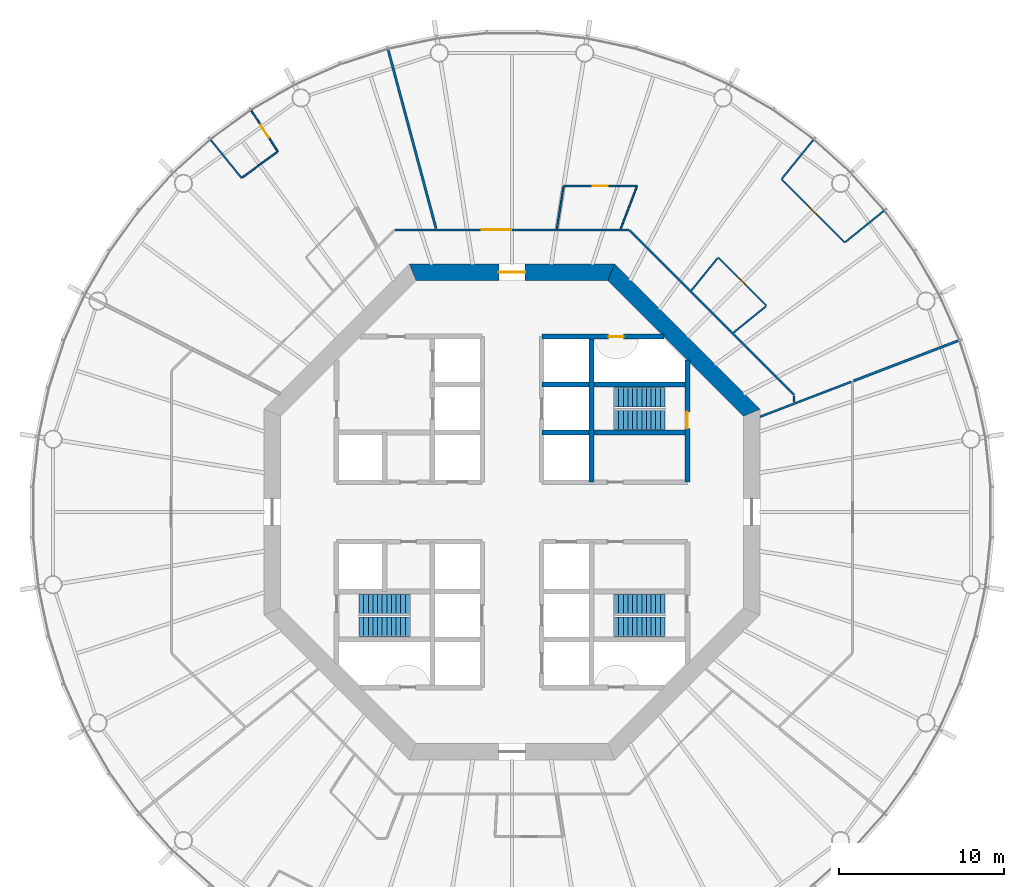
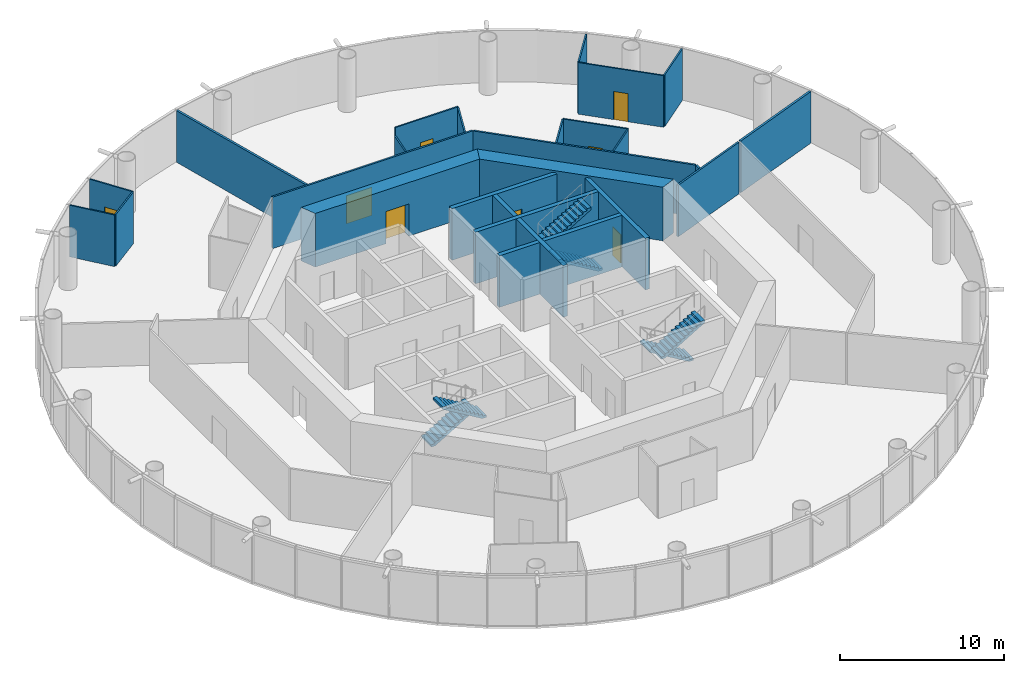
# One storey, part 5 of 12: 25 walls, 8 doors, 6 stair flights, 8 openings, 3 elements without a shape of their own.
"""IFC4 building model written with IfcOpenShell, lengths in metres."""

from ifc_helpers import new_model, si_unit, direction, frame, frame_2d, origin, place, context, subcontext, project, spatial, polyline, rectangle, outline, extrude, material, layer, layer_set, type_object, element, fill, aggregate, save


model = new_model("IFC4")

# Units and contexts
model_context = context("Model", 3, precision=1e-05, world=origin(), true_north=direction((0.0, 1.0)))
body_context = subcontext(model_context, "Body", "Model", "MODEL_VIEW")
ifc_project = project(units=[si_unit("LENGTHUNIT", "METRE"), si_unit("AREAUNIT", "SQUARE_METRE"), si_unit("VOLUMEUNIT", "CUBIC_METRE"), si_unit("PLANEANGLEUNIT", "RADIAN"), si_unit("MASSUNIT", "GRAM", prefix="KILO")], contexts=[model_context])

# Site, building, storey
site_placement = place(None, origin())
site = spatial("IfcSite", under=ifc_project, at=site_placement, CompositionType="ELEMENT")
building_placement = place(site_placement, origin())
building = spatial("IfcBuilding", under=site, at=building_placement, Name="Entoto Ring Tower", CompositionType="ELEMENT")
storey_placement = place(building_placement, frame((0.0, 0.0, 196.0)))
storey = spatial("IfcBuildingStorey", under=building, at=storey_placement, Name="L45", CompositionType="ELEMENT", Elevation=196.0)

# Wall, opening, door
ifc_material_1 = material(Name="Concrete C40/50", Category="concrete")
ifc_layer_1 = layer(ifc_material_1, 0.300048828125)
ifc_layer_set_1 = layer_set([ifc_layer_1], Name="Concrete C40/50")
wall_type_1 = type_object("IfcWallType", Name="Core enclosure wall 300 mm reinforced concrete", PredefinedType="SOLIDWALL", material=ifc_layer_set_1)
wall_1_placement = place(storey_placement, frame((100.60009765625, 81.800048828125, 0.0), z_axis=(0.0, 0.0, 1.0), x_axis=(0.0, 1.0, 0.0)))
wall_1 = element("IfcWall", 1, at=wall_1_placement, inside=storey, type_object=wall_type_1, Name="wall-L45-002", PredefinedType="SOLIDWALL", context=body_context, shape_type="SweptSolid", body=[
    extrude(rectangle(XDim=7.39892578125, YDim=0.300048828125, at=frame_2d((3.699462890625, 0.0))), origin(), (0.0, 0.0, 1.0), 3.85009765625),
])
opening_1_placement = place(wall_1_placement, frame((3.25, 0.0, 0.0)))
opening_1 = element("IfcOpeningElement", 2, at=opening_1_placement, cuts=wall_1, Name="Opening K-52", PredefinedType="OPENING", context=body_context, shape_type="SweptSolid", body=[
    extrude(rectangle(XDim=1.0, YDim=2.10009765625, at=frame_2d((0.5, 1.050048828125))), frame((0.0, 0.16015625, 0.0), z_axis=(0.0, -1.0, 0.0), x_axis=(1.0, 0.0, 0.0)), (0.0, 0.0, 1.0), 0.320068359375),
])
ifc_material_2 = material(Name="Steel door leaf, fire rated", Category="steel")
ifc_layer_2 = layer(ifc_material_2, 0.050048828125)
ifc_layer_set_2 = layer_set([ifc_layer_2], Name="Steel door leaf, fire rated")
door_type_1 = type_object("IfcDoorType", Name="Fire door FD60 1000 x 2100 single leaf", OperationType="NOTDEFINED", PredefinedType="DOOR", material=ifc_layer_set_2)
door_1_placement = place(opening_1_placement, origin())
door_1 = element("IfcDoor", 3, at=door_1_placement, inside=storey, type_object=door_type_1, Name="Door K-52", OperationType="SINGLE_SWING_LEFT", OverallHeight=2.10009765625, OverallWidth=1.0, PredefinedType="DOOR", context=body_context, shape_type="SweptSolid", body=[
    extrude(rectangle(XDim=1.0, YDim=2.10009765625, at=frame_2d((0.5, 1.050048828125))), frame((0.0, 0.02490234375, 0.0), z_axis=(0.0, -1.0, 0.0), x_axis=(1.0, 0.0, 0.0)), (0.0, 0.0, 1.0), 0.050048828125),
])
fill(opening_1, door_1)

# Walls
for number, where, z_axis, x_axis, name in (
    (4, (94.800048828125, 81.800048828125, 0.0), (0.0, 0.0, 1.0), (0.0, 1.0, 0.0), "wall-L45-004"),
    (5, (91.800048828125, 84.800048828125, 0.0), (0.0, 0.0, 1.0), (1.0, 0.0, 0.0), "wall-L45-026"),
    (6, (91.800048828125, 87.699951171875, 0.0), (0.0, 0.0, 1.0), (1.0, 0.0, 0.0), "wall-L45-028"),
):
    element("IfcWall", number, at=place(storey_placement, frame(where, z_axis=z_axis, x_axis=x_axis)), inside=storey, type_object=wall_type_1, Name=name, PredefinedType="SOLIDWALL", context=body_context, shape_type="SweptSolid", body=[
        extrude(rectangle(XDim=8.800048828125, YDim=0.300048828125, at=frame_2d((4.39990234375, 0.0))), origin(), (0.0, 0.0, 1.0), 3.85009765625),
    ])

# Wall, opening, door
wall_2_placement = place(storey_placement, frame((91.800048828125, 90.60009765625, 0.0), z_axis=(0.0, 0.0, 1.0), x_axis=(1.0, 0.0, 0.0)))
wall_2 = element("IfcWall", 7, at=wall_2_placement, inside=storey, type_object=wall_type_1, Name="wall-L45-030", PredefinedType="SOLIDWALL", context=body_context, shape_type="SweptSolid", body=[
    extrude(rectangle(XDim=7.39892578125, YDim=0.300048828125, at=frame_2d((3.699462890625, 0.0))), origin(), (0.0, 0.0, 1.0), 3.85009765625),
])
opening_2_placement = place(wall_2_placement, frame((4.050048828125, 0.0, 0.0)))
opening_2 = element("IfcOpeningElement", 8, at=opening_2_placement, cuts=wall_2, Name="Opening K-60", PredefinedType="OPENING", context=body_context, shape_type="SweptSolid", body=[
    extrude(rectangle(XDim=0.89990234375, YDim=2.10009765625, at=frame_2d((0.449951171875, 1.050048828125))), frame((0.0, 0.16015625, 0.0), z_axis=(0.0, -1.0, 0.0), x_axis=(1.0, 0.0, 0.0)), (0.0, 0.0, 1.0), 0.320068359375),
])
ifc_material_3 = material(Name="Steel door leaf, fire rated", Category="steel")
ifc_layer_3 = layer(ifc_material_3, 0.050048828125)
ifc_layer_set_3 = layer_set([ifc_layer_3], Name="Steel door leaf, fire rated")
door_type_2 = type_object("IfcDoorType", Name="Riser door FD60 900 x 2100 single leaf", OperationType="NOTDEFINED", PredefinedType="DOOR", material=ifc_layer_set_3)
door_2_placement = place(opening_2_placement, frame((0.89990234375, 0.0, 0.0), z_axis=(0.0, 0.0, 1.0), x_axis=(-1.0, 0.0, 0.0)))
door_2 = element("IfcDoor", 9, at=door_2_placement, inside=storey, type_object=door_type_2, Name="Door K-60", OperationType="SINGLE_SWING_RIGHT", OverallHeight=2.10009765625, OverallWidth=0.89990234375, PredefinedType="DOOR", context=body_context, shape_type="SweptSolid", body=[
    extrude(rectangle(XDim=0.89990234375, YDim=2.10009765625, at=frame_2d((0.449951171875, 1.050048828125))), frame((0.0, 0.02490234375, 0.0), z_axis=(0.0, -1.0, 0.0), x_axis=(1.0, 0.0, 0.0)), (0.0, 0.0, 1.0), 0.050048828125),
])
fill(opening_2, door_2)

# Wall
ifc_material_4 = material(Name="Concrete C50/60", Category="concrete")
ifc_layer_4 = layer(ifc_material_4, 1.0)
ifc_layer_set_4 = layer_set([ifc_layer_4], Name="Concrete C50/60")
wall_type_2 = type_object("IfcWallType", Name="Core shear wall 1000 mm reinforced concrete C50/60", PredefinedType="SHEAR", material=ifc_layer_set_4)
wall_3_placement = place(storey_placement, frame((104.5, 86.006103515625, 0.0), z_axis=(0.0, 0.0, 1.0), x_axis=(-0.707106781187, 0.707106781187, 0.0)))
element("IfcWall", 10, at=wall_3_placement, inside=storey, type_object=wall_type_2, Name="wall-L45-core-1", PredefinedType="SHEAR", context=body_context, shape_type="SweptSolid", body=[
    extrude(outline(polyline([(-0.20703125, -0.5), (12.21923828125, -0.5), (11.80517578125, 0.5), (0.20703125, 0.5), (-0.20703125, -0.5)])), origin(), (0.0, 0.0, 1.0), 4.0),
])

# Wall, opening, door
wall_4_placement = place(storey_placement, frame((96.006103515625, 94.5, 0.0), z_axis=(0.0, 0.0, 1.0), x_axis=(-1.0, 0.0, 0.0)))
wall_4 = element("IfcWall", 11, at=wall_4_placement, inside=storey, type_object=wall_type_2, Name="wall-L45-core-2", PredefinedType="SHEAR", context=body_context, shape_type="SweptSolid", body=[
    extrude(outline(polyline([(-0.20703125, -0.5), (12.21923828125, -0.5), (11.80517578125, 0.5), (0.20703125, 0.5), (-0.20703125, -0.5)])), origin(), (0.0, 0.0, 1.0), 4.0),
])
opening_3_placement = place(wall_4_placement, frame((5.2060546875, 0.0, 0.0)))
opening_3 = element("IfcOpeningElement", 12, at=opening_3_placement, cuts=wall_4, Name="Opening K-02", PredefinedType="OPENING", context=body_context, shape_type="SweptSolid", body=[
    extrude(rectangle(XDim=1.60009765625, YDim=2.39990234375, at=frame_2d((0.800048828125, 1.199951171875))), frame((0.0, 0.510009765625, 0.0), z_axis=(0.0, -1.0, 0.0), x_axis=(1.0, 0.0, 0.0)), (0.0, 0.0, 1.0), 1.02001953125),
])
ifc_material_5 = material(Name="Steel door leaf, fire rated", Category="steel")
ifc_layer_5 = layer(ifc_material_5, 0.050048828125)
ifc_layer_set_5 = layer_set([ifc_layer_5], Name="Steel door leaf, fire rated")
door_type_3 = type_object("IfcDoorType", Name="Entrance door FD60 1600 x 2400 double leaf", OperationType="DOUBLE_DOOR_SINGLE_SWING", PredefinedType="DOOR", material=ifc_layer_set_5)
door_3_placement = place(opening_3_placement, origin())
door_3 = element("IfcDoor", 13, at=door_3_placement, inside=storey, type_object=door_type_3, Name="Entrance door K-02", OperationType="DOUBLE_DOOR_SINGLE_SWING", OverallHeight=2.39990234375, OverallWidth=1.60009765625, PredefinedType="DOOR", context=body_context, shape_type="SweptSolid", body=[
    extrude(rectangle(XDim=1.60009765625, YDim=2.39990234375, at=frame_2d((0.800048828125, 1.199951171875))), frame((0.0, 0.02490234375, 0.0), z_axis=(0.0, -1.0, 0.0), x_axis=(1.0, 0.0, 0.0)), (0.0, 0.0, 1.0), 0.050048828125),
])
fill(opening_3, door_3)

ifc_material_6 = material(Name="Fire-resisting plasterboard on steel studs", Category="steel")
ifc_layer_6 = layer(ifc_material_6, 0.125)
ifc_layer_set_6 = layer_set([ifc_layer_6], Name="Fire-resisting plasterboard on steel studs")
wall_type_3 = type_object("IfcWallType", Name="Corridor wall 125 mm one-hour plasterboard on steel studs", PredefinedType="PARTITIONING", material=ifc_layer_set_6)
wall_5_placement = place(storey_placement, frame((82.9326171875, 97.0625, 0.0), z_axis=(0.0, 0.0, 1.0), x_axis=(1.0, 0.0, 0.0)))
wall_5 = element("IfcWall", 14, at=wall_5_placement, inside=storey, type_object=wall_type_3, Name="partition-L45-004", PredefinedType="PARTITIONING", context=body_context, shape_type="SweptSolid", body=[
    extrude(rectangle(XDim=14.134765625, YDim=0.125, at=frame_2d((7.0673828125, 0.0))), origin(), (0.0, 0.0, 1.0), 3.85009765625),
])
opening_4_placement = place(wall_5_placement, frame((5.23291015625, 0.0, 0.0)))
opening_4 = element("IfcOpeningElement", 15, at=opening_4_placement, cuts=wall_5, Name="Opening A19-D03", PredefinedType="OPENING", context=body_context, shape_type="SweptSolid", body=[
    extrude(rectangle(XDim=1.800048828125, YDim=2.10009765625, at=frame_2d((0.89990234375, 1.050048828125))), frame((0.0, 0.072509765625, 0.0), z_axis=(0.0, -1.0, 0.0), x_axis=(1.0, 0.0, 0.0)), (0.0, 0.0, 1.0), 0.14501953125),
])
ifc_material_7 = material(Name="Fire-resisting timber door set", Category="wood")
door_type_4 = type_object("IfcDoorType", Name="Door 1800 x 2100 double leaf FD30S fire door", OperationType="DOUBLE_DOOR_SINGLE_SWING", PredefinedType="DOOR", material=ifc_material_7)
door_4_placement = place(opening_4_placement, origin())
door_4 = element("IfcDoor", 16, at=door_4_placement, inside=storey, type_object=door_type_4, Name="Door A19-D03", OperationType="DOUBLE_DOOR_SINGLE_SWING", OverallHeight=2.10009765625, OverallWidth=1.800048828125, PredefinedType="DOOR", context=body_context, shape_type="SweptSolid", body=[
    extrude(rectangle(XDim=1.800048828125, YDim=2.10009765625, at=frame_2d((0.89990234375, 1.050048828125))), frame((0.0, 0.02490234375, 0.0), z_axis=(0.0, -1.0, 0.0), x_axis=(1.0, 0.0, 0.0)), (0.0, 0.0, 1.0), 0.050048828125),
])
fill(opening_4, door_4)

# Walls
wall_6_placement = place(storey_placement, frame((107.0625, 87.0673828125, 0.0), z_axis=(0.0, 0.0, 1.0), x_axis=(-0.707098118263, 0.707115444004, 0.0)))
element("IfcWall", 17, at=wall_6_placement, inside=storey, type_object=wall_type_3, Name="partition-L45-005", PredefinedType="PARTITIONING", context=body_context, shape_type="SweptSolid", body=[
    extrude(rectangle(XDim=14.09130859375, YDim=0.125, at=frame_2d((7.045654296875, 0.0))), origin(), (0.0, 0.0, 1.0), 3.85009765625),
])
wall_7_placement = place(storey_placement, frame((105.0, 85.758056640625, 0.0), z_axis=(0.0, 0.0, 1.0), x_axis=(0.933592488158, 0.358336526264, 0.0)))
element("IfcWall", 18, at=wall_7_placement, inside=storey, type_object=wall_type_3, Name="partition-L45-011", PredefinedType="PARTITIONING", context=body_context, shape_type="SweptSolid", body=[
    extrude(rectangle(XDim=5.90771484375, YDim=0.125, at=frame_2d((2.953857421875, 0.0))), origin(), (0.0, 0.0, 1.0), 3.85009765625),
])
wall_8_placement = place(storey_placement, frame((107.0625, 86.640380859375, 0.0), z_axis=(0.0, 0.0, 1.0), x_axis=(0.0, 1.0, 0.0)))
element("IfcWall", 19, at=wall_8_placement, inside=storey, type_object=wall_type_3, Name="partition-L45-016", PredefinedType="PARTITIONING", context=body_context, shape_type="SweptSolid", body=[
    extrude(rectangle(XDim=0.383056640625, YDim=0.125, at=frame_2d((0.19140625, 0.0))), origin(), (0.0, 0.0, 1.0), 3.85009765625),
])

# Wall, opening, door
ifc_material_8 = material(Name="Plasterboard on steel studs", Category="steel")
ifc_layer_7 = layer(ifc_material_8, 0.10009765625)
ifc_layer_set_7 = layer_set([ifc_layer_7], Name="Plasterboard on steel studs")
wall_type_4 = type_object("IfcWallType", Name="Partition 100 mm plasterboard on steel studs", PredefinedType="PARTITIONING", material=ifc_layer_set_7)
wall_9_placement = place(storey_placement, frame((110.120361328125, 96.293212890625, 0.0), z_axis=(0.0, 0.0, 1.0), x_axis=(-0.707106781187, 0.707106781187, 0.0)))
wall_9 = element("IfcWall", 20, at=wall_9_placement, inside=storey, type_object=wall_type_4, Name="partition-L45-022", PredefinedType="PARTITIONING", context=body_context, shape_type="SweptSolid", body=[
    extrude(rectangle(XDim=5.412353515625, YDim=0.10009765625, at=frame_2d((2.7060546875, 0.0))), origin(), (0.0, 0.0, 1.0), 3.85009765625),
])
opening_5_placement = place(wall_9_placement, frame((2.256103515625, 0.0, 0.0)))
opening_5 = element("IfcOpeningElement", 21, at=opening_5_placement, cuts=wall_9, Name="Opening A19-D06", PredefinedType="OPENING", context=body_context, shape_type="SweptSolid", body=[
    extrude(rectangle(XDim=0.89990234375, YDim=2.10009765625, at=frame_2d((0.449951171875, 1.050048828125))), frame((0.0, 0.06005859375, 0.0), z_axis=(0.0, -1.0, 0.0), x_axis=(1.0, 0.0, 0.0)), (0.0, 0.0, 1.0), 0.1201171875),
])
ifc_material_9 = material(Name="Veneered timber door leaf in timber frame", Category="wood")
door_type_5 = type_object("IfcDoorType", Name="Door 900 x 2100 single leaf timber veneer", OperationType="NOTDEFINED", PredefinedType="DOOR", material=ifc_material_9)
door_5_placement = place(opening_5_placement, frame((0.89990234375, 0.0, 0.0), z_axis=(0.0, 0.0, 1.0), x_axis=(-1.0, 0.0, 0.0)))
door_5 = element("IfcDoor", 22, at=door_5_placement, inside=storey, type_object=door_type_5, Name="Door A19-D06", OperationType="SINGLE_SWING_RIGHT", OverallHeight=2.10009765625, OverallWidth=0.89990234375, PredefinedType="DOOR", context=body_context, shape_type="SweptSolid", body=[
    extrude(rectangle(XDim=0.89990234375, YDim=2.10009765625, at=frame_2d((0.449951171875, 1.050048828125))), frame((0.0, 0.02490234375, 0.0), z_axis=(0.0, -1.0, 0.0), x_axis=(1.0, 0.0, 0.0)), (0.0, 0.0, 1.0), 0.050048828125),
])
fill(opening_5, door_5)

wall_10_placement = place(storey_placement, frame((93.122314453125, 99.71240234375, 0.0), z_axis=(0.0, 0.0, 1.0), x_axis=(1.0, 0.0, 0.0)))
wall_10 = element("IfcWall", 23, at=wall_10_placement, inside=storey, type_object=wall_type_4, Name="partition-L45-024", PredefinedType="PARTITIONING", context=body_context, shape_type="SweptSolid", body=[
    extrude(rectangle(XDim=4.444580078125, YDim=0.10009765625, at=frame_2d((2.22216796875, 0.0))), origin(), (0.0, 0.0, 1.0), 3.85009765625),
])
opening_6_placement = place(wall_10_placement, frame((1.7724609375, 0.0, 0.0)))
opening_6 = element("IfcOpeningElement", 24, at=opening_6_placement, cuts=wall_10, Name="Opening A19-D05", PredefinedType="OPENING", context=body_context, shape_type="SweptSolid", body=[
    extrude(rectangle(XDim=0.89990234375, YDim=2.10009765625, at=frame_2d((0.449951171875, 1.050048828125))), frame((0.0, 0.06005859375, 0.0), z_axis=(0.0, -1.0, 0.0), x_axis=(1.0, 0.0, 0.0)), (0.0, 0.0, 1.0), 0.1201171875),
])
door_6_placement = place(opening_6_placement, frame((0.89990234375, 0.0, 0.0), z_axis=(0.0, 0.0, 1.0), x_axis=(-1.0, 0.0, 0.0)))
door_6 = element("IfcDoor", 25, at=door_6_placement, inside=storey, type_object=door_type_5, Name="Door A19-D05", OperationType="SINGLE_SWING_LEFT", OverallHeight=2.10009765625, OverallWidth=0.89990234375, PredefinedType="DOOR", context=body_context, shape_type="SweptSolid", body=[
    extrude(rectangle(XDim=0.89990234375, YDim=2.10009765625, at=frame_2d((0.449951171875, 1.050048828125))), frame((0.0, 0.02490234375, 0.0), z_axis=(0.0, -1.0, 0.0), x_axis=(1.0, 0.0, 0.0)), (0.0, 0.0, 1.0), 0.050048828125),
])
fill(opening_6, door_6)

wall_11_placement = place(storey_placement, frame((105.39599609375, 92.467529296875, 0.0), z_axis=(0.0, 0.0, 1.0), x_axis=(-0.707106781187, 0.707106781187, 0.0)))
wall_11 = element("IfcWall", 26, at=wall_11_placement, inside=storey, type_object=wall_type_4, Name="partition-L45-026", PredefinedType="PARTITIONING", context=body_context, shape_type="SweptSolid", body=[
    extrude(rectangle(XDim=4.141357421875, YDim=0.10009765625, at=frame_2d((2.07080078125, 0.0))), origin(), (0.0, 0.0, 1.0), 3.85009765625),
])
opening_7_placement = place(wall_11_placement, frame((1.620849609375, 0.0, 0.0)))
opening_7 = element("IfcOpeningElement", 27, at=opening_7_placement, cuts=wall_11, Name="Opening A19-D04", PredefinedType="OPENING", context=body_context, shape_type="SweptSolid", body=[
    extrude(rectangle(XDim=0.89990234375, YDim=2.10009765625, at=frame_2d((0.449951171875, 1.050048828125))), frame((0.0, 0.06005859375, 0.0), z_axis=(0.0, -1.0, 0.0), x_axis=(1.0, 0.0, 0.0)), (0.0, 0.0, 1.0), 0.1201171875),
])
door_7_placement = place(opening_7_placement, origin())
door_7 = element("IfcDoor", 28, at=door_7_placement, inside=storey, type_object=door_type_5, Name="Door A19-D04", OperationType="SINGLE_SWING_LEFT", OverallHeight=2.10009765625, OverallWidth=0.89990234375, PredefinedType="DOOR", context=body_context, shape_type="SweptSolid", body=[
    extrude(rectangle(XDim=0.89990234375, YDim=2.10009765625, at=frame_2d((0.449951171875, 1.050048828125))), frame((0.0, 0.02490234375, 0.0), z_axis=(0.0, -1.0, 0.0), x_axis=(1.0, 0.0, 0.0)), (0.0, 0.0, 1.0), 0.050048828125),
])
fill(opening_7, door_7)

# Walls
for number, where, z_axis, x_axis, name in (
    (29, (106.324462890625, 100.158935546875, 0.0), (0.0, 0.0, 1.0), (0.629298887312, 0.777163374348, 0.0), "partition-L45-031"),
    (30, (110.158935546875, 96.324462890625, 0.0), (0.0, 0.0, 1.0), (0.777163374348, 0.629298887312, 0.0), "partition-L45-032"),
):
    element("IfcWall", number, at=place(storey_placement, frame(where, z_axis=z_axis, x_axis=x_axis)), inside=storey, type_object=wall_type_4, Name=name, PredefinedType="PARTITIONING", context=body_context, shape_type="SweptSolid", body=[
        extrude(rectangle(XDim=3.0, YDim=0.10009765625, at=frame_2d((1.5, 0.0))), origin(), (0.0, 0.0, 1.0), 3.85009765625),
    ])

# Wall, opening, door
wall_12_placement = place(storey_placement, frame((75.8447265625, 101.797119140625, 0.0), z_axis=(0.0, 0.0, 1.0), x_axis=(-0.544671218541, 0.838649666841, 0.0)))
wall_12 = element("IfcWall", 31, at=wall_12_placement, inside=storey, type_object=wall_type_4, Name="partition-L45-033", PredefinedType="PARTITIONING", context=body_context, shape_type="SweptSolid", body=[
    extrude(rectangle(XDim=2.949951171875, YDim=0.10009765625, at=frame_2d((1.47509765625, 0.0))), origin(), (0.0, 0.0, 1.0), 3.85009765625),
])
opening_8_placement = place(wall_12_placement, frame((1.02490234375, 0.0, 0.0)))
opening_8 = element("IfcOpeningElement", 32, at=opening_8_placement, cuts=wall_12, Name="Opening A19-D09", PredefinedType="OPENING", context=body_context, shape_type="SweptSolid", body=[
    extrude(rectangle(XDim=0.89990234375, YDim=2.10009765625, at=frame_2d((0.449951171875, 1.050048828125))), frame((0.0, 0.06005859375, 0.0), z_axis=(0.0, -1.0, 0.0), x_axis=(1.0, 0.0, 0.0)), (0.0, 0.0, 1.0), 0.1201171875),
])
door_8_placement = place(opening_8_placement, origin())
door_8 = element("IfcDoor", 33, at=door_8_placement, inside=storey, type_object=door_type_5, Name="Door A19-D09", OperationType="SINGLE_SWING_RIGHT", OverallHeight=2.10009765625, OverallWidth=0.89990234375, PredefinedType="DOOR", context=body_context, shape_type="SweptSolid", body=[
    extrude(rectangle(XDim=0.89990234375, YDim=2.10009765625, at=frame_2d((0.449951171875, 1.050048828125))), frame((0.0, 0.02490234375, 0.0), z_axis=(0.0, -1.0, 0.0), x_axis=(1.0, 0.0, 0.0)), (0.0, 0.0, 1.0), 0.050048828125),
])
fill(opening_8, door_8)

# Walls
wall_13_placement = place(storey_placement, frame((73.64404296875, 100.197998046875, 0.0), z_axis=(0.0, 0.0, 1.0), x_axis=(-0.629326785519, 0.777140783275, 0.0)))
element("IfcWall", 34, at=wall_13_placement, inside=storey, type_object=wall_type_4, Name="partition-L45-034", PredefinedType="PARTITIONING", context=body_context, shape_type="SweptSolid", body=[
    extrude(rectangle(XDim=2.949951171875, YDim=0.10009765625, at=frame_2d((1.47509765625, 0.0))), origin(), (0.0, 0.0, 1.0), 3.85009765625),
])
wall_14_placement = place(storey_placement, frame((96.58056640625, 97.142822265625, 0.0), z_axis=(0.0, 0.0, 1.0), x_axis=(0.358380762009, 0.933575508152, 0.0)))
element("IfcWall", 35, at=wall_14_placement, inside=storey, type_object=wall_type_4, Name="partition-L45-036", PredefinedType="PARTITIONING", context=body_context, shape_type="SweptSolid", body=[
    extrude(rectangle(XDim=2.679931640625, YDim=0.10009765625, at=frame_2d((1.33984375, 0.0))), origin(), (0.0, 0.0, 1.0), 3.85009765625),
])
wall_15_placement = place(storey_placement, frame((73.684326171875, 100.227294921875, 0.0), z_axis=(0.0, 0.0, 1.0), x_axis=(0.809030077075, 0.587767245079, 0.0)))
element("IfcWall", 36, at=wall_15_placement, inside=storey, type_object=wall_type_4, Name="partition-L45-039", PredefinedType="PARTITIONING", context=body_context, shape_type="SweptSolid", body=[
    extrude(rectangle(XDim=2.62060546875, YDim=0.10009765625, at=frame_2d((1.310302734375, 0.0))), origin(), (0.0, 0.0, 1.0), 3.85009765625),
])
for number, where, z_axis, x_axis, name in (
    (37, (100.83984375, 93.385986328125, 0.0), (0.0, 0.0, 1.0), (0.629342520007, 0.777128041259, 0.0), "partition-L45-042"),
    (38, (103.385986328125, 90.83984375, 0.0), (0.0, 0.0, 1.0), (0.777128041259, 0.629342520007, 0.0), "partition-L45-043"),
):
    element("IfcWall", number, at=place(storey_placement, frame(where, z_axis=z_axis, x_axis=x_axis)), inside=storey, type_object=wall_type_4, Name=name, PredefinedType="PARTITIONING", context=body_context, shape_type="SweptSolid", body=[
        extrude(rectangle(XDim=2.53076171875, YDim=0.10009765625, at=frame_2d((1.265380859375, 0.0))), origin(), (0.0, 0.0, 1.0), 3.85009765625),
    ])
ifc_material_10 = material(Name="Plasterboard on steel studs", Category="steel")
ifc_layer_8 = layer(ifc_material_10, 0.10009765625)
ifc_layer_set_8 = layer_set([ifc_layer_8], Name="Plasterboard on steel studs")
wall_type_5 = type_object("IfcWallType", Name="Partition 100 mm plasterboard on steel studs, 3250 mm high", PredefinedType="PARTITIONING", material=ifc_layer_set_8)
wall_16_placement = place(storey_placement, frame((92.713623046875, 97.1328125, 0.0), z_axis=(0.0, 0.0, 1.0), x_axis=(0.156437114518, 0.987687920955, 0.0)))
element("IfcWall", 39, at=wall_16_placement, inside=storey, type_object=wall_type_5, Name="partition-L45-040", PredefinedType="PARTITIONING", context=body_context, shape_type="SweptSolid", body=[
    extrude(rectangle(XDim=2.5625, YDim=0.10009765625, at=frame_2d((1.28125, 0.0))), origin(), (0.0, 0.0, 1.0), 3.25),
])
ifc_material_11 = material(Name="Fire-resisting acoustic plasterboard on steel studs", Category="steel")
ifc_layer_9 = layer(ifc_material_11, 0.14990234375)
ifc_layer_set_9 = layer_set([ifc_layer_9], Name="Fire-resisting acoustic plasterboard on steel studs")
wall_type_6 = type_object("IfcWallType", Name="Party wall 150 mm one-hour acoustic plasterboard on steel studs", PredefinedType="PARTITIONING", material=ifc_layer_set_9)
wall_17_placement = place(storey_placement, frame((85.40625, 97.144287109375, 0.0), z_axis=(0.0, 0.0, 1.0), x_axis=(-0.258824776052, 0.965924290668, 0.0)))
element("IfcWall", 40, at=wall_17_placement, inside=storey, type_object=wall_type_6, Name="partition-L45-017", PredefinedType="PARTITIONING", context=body_context, shape_type="SweptSolid", body=[
    extrude(rectangle(XDim=11.19091796875, YDim=0.14990234375, at=frame_2d((5.595458984375, 0.0))), origin(), (0.0, 0.0, 1.0), 3.85009765625),
])
wall_18_placement = place(storey_placement, frame((110.654296875, 87.928466796875, 0.0), z_axis=(0.0, 0.0, 1.0), x_axis=(0.933585412346, 0.358354960695, 0.0)))
element("IfcWall", 41, at=wall_18_placement, inside=storey, type_object=wall_type_6, Name="partition-L45-021", PredefinedType="PARTITIONING", context=body_context, shape_type="SweptSolid", body=[
    extrude(rectangle(XDim=6.816162109375, YDim=0.14990234375, at=frame_2d((3.408203125, 0.0))), origin(), (0.0, 0.0, 1.0), 3.85009765625),
])

# Stair, stair flights
ifc_material_12 = material(Name="Concrete C40/50", Category="concrete")
stair_type = type_object("IfcStairType", Name="Exit stair 1200 mm dog-leg reinforced concrete", PredefinedType="HALF_TURN_STAIR", material=ifc_material_12)
stair_1_placement = place(storey_placement, origin())
stair_1 = element("IfcStair", 42, at=stair_1_placement, inside=storey, type_object=stair_type, Name="Exit stair 1", PredefinedType="HALF_TURN_STAIR")
ifc_material_13 = material(Name="Concrete C40/50", Category="concrete")
stair_flight_type = type_object("IfcStairFlightType", Name="Stair flight 1200 mm reinforced concrete", PredefinedType="STRAIGHT", material=ifc_material_13)
stair_flight_1_placement = place(storey_placement, frame((99.25, 85.550048828125, 0.0), z_axis=(0.0, 0.0, 1.0), x_axis=(-1.0, 0.0, 0.0)))
stair_flight_1 = element("IfcStairFlight", 43, at=stair_flight_1_placement, type_object=stair_flight_type, Name="ST1 flight 1", NumberOfRisers=12, NumberOfTreads=11, PredefinedType="STRAIGHT", RiserHeight=0.166666667, TreadLength=0.28, context=body_context, shape_type="SweptSolid", body=[
    extrude(outline(polyline([(0.0, 0.0), (0.0, 0.166748046875), (0.280029296875, 0.166748046875), (0.280029296875, 0.333251953125), (0.56005859375, 0.333251953125), (0.56005859375, 0.5), (0.840087890625, 0.5), (0.840087890625, 0.666748046875), (1.1201171875, 0.666748046875), (1.1201171875, 0.833251953125), (1.39990234375, 0.833251953125), (1.39990234375, 1.0), (1.679931640625, 1.0), (1.679931640625, 1.166748046875), (1.9599609375, 1.166748046875), (1.9599609375, 1.333251953125), (2.239990234375, 1.333251953125), (2.239990234375, 1.5), (2.52001953125, 1.5), (2.52001953125, 1.666748046875), (2.800048828125, 1.666748046875), (2.800048828125, 1.833251953125), (3.080078125, 1.833251953125), (3.080078125, 2.0), (3.080078125, 1.658935546875), (0.29296875, 0.0), (0.0, 0.0)])), frame((0.0, 0.60009765625, 0.0), z_axis=(0.0, -1.0, 0.0), x_axis=(1.0, 0.0, 0.0)), (0.0, 0.0, 1.0), 1.199951171875),
])
stair_flight_2_placement = place(storey_placement, frame((96.169921875, 86.949951171875, 2.0), z_axis=(0.0, 0.0, 1.0), x_axis=(1.0, 0.0, 0.0)))
stair_flight_2 = element("IfcStairFlight", 44, at=stair_flight_2_placement, type_object=stair_flight_type, Name="ST1 flight 2", NumberOfRisers=12, NumberOfTreads=11, PredefinedType="STRAIGHT", RiserHeight=0.166666667, TreadLength=0.28, context=body_context, shape_type="SweptSolid", body=[
    extrude(outline(polyline([(0.0, 0.0), (0.0, 0.166748046875), (0.280029296875, 0.166748046875), (0.280029296875, 0.333251953125), (0.56005859375, 0.333251953125), (0.56005859375, 0.5), (0.840087890625, 0.5), (0.840087890625, 0.666748046875), (1.1201171875, 0.666748046875), (1.1201171875, 0.833251953125), (1.39990234375, 0.833251953125), (1.39990234375, 1.0), (1.679931640625, 1.0), (1.679931640625, 1.166748046875), (1.9599609375, 1.166748046875), (1.9599609375, 1.333251953125), (2.239990234375, 1.333251953125), (2.239990234375, 1.5), (2.52001953125, 1.5), (2.52001953125, 1.666748046875), (2.800048828125, 1.666748046875), (2.800048828125, 1.833251953125), (3.080078125, 1.833251953125), (3.080078125, 2.0), (3.080078125, 1.658935546875), (0.29296875, 0.0), (0.0, 0.0)])), frame((0.0, 0.60009765625, 0.0), z_axis=(0.0, -1.0, 0.0), x_axis=(1.0, 0.0, 0.0)), (0.0, 0.0, 1.0), 1.199951171875),
])
aggregate(stair_1, [stair_flight_1, stair_flight_2])

stair_2_placement = place(storey_placement, origin())
stair_2 = element("IfcStair", 45, at=stair_2_placement, inside=storey, type_object=stair_type, Name="Exit stair 2", PredefinedType="HALF_TURN_STAIR")
stair_flight_3_placement = place(storey_placement, frame((80.75, 74.449951171875, 0.0), z_axis=(0.0, 0.0, 1.0), x_axis=(1.0, 0.0, 0.0)))
stair_flight_3 = element("IfcStairFlight", 46, at=stair_flight_3_placement, type_object=stair_flight_type, Name="ST2 flight 1", NumberOfRisers=12, NumberOfTreads=11, PredefinedType="STRAIGHT", RiserHeight=0.166666667, TreadLength=0.28, context=body_context, shape_type="SweptSolid", body=[
    extrude(outline(polyline([(0.0, 0.0), (0.0, 0.166748046875), (0.280029296875, 0.166748046875), (0.280029296875, 0.333251953125), (0.56005859375, 0.333251953125), (0.56005859375, 0.5), (0.840087890625, 0.5), (0.840087890625, 0.666748046875), (1.1201171875, 0.666748046875), (1.1201171875, 0.833251953125), (1.39990234375, 0.833251953125), (1.39990234375, 1.0), (1.679931640625, 1.0), (1.679931640625, 1.166748046875), (1.9599609375, 1.166748046875), (1.9599609375, 1.333251953125), (2.239990234375, 1.333251953125), (2.239990234375, 1.5), (2.52001953125, 1.5), (2.52001953125, 1.666748046875), (2.800048828125, 1.666748046875), (2.800048828125, 1.833251953125), (3.080078125, 1.833251953125), (3.080078125, 2.0), (3.080078125, 1.658935546875), (0.29296875, 0.0), (0.0, 0.0)])), frame((0.0, 0.60009765625, 0.0), z_axis=(0.0, -1.0, 0.0), x_axis=(1.0, 0.0, 0.0)), (0.0, 0.0, 1.0), 1.199951171875),
])
stair_flight_4_placement = place(storey_placement, frame((83.830078125, 73.050048828125, 2.0), z_axis=(0.0, 0.0, 1.0), x_axis=(-1.0, 0.0, 0.0)))
stair_flight_4 = element("IfcStairFlight", 47, at=stair_flight_4_placement, type_object=stair_flight_type, Name="ST2 flight 2", NumberOfRisers=12, NumberOfTreads=11, PredefinedType="STRAIGHT", RiserHeight=0.166666667, TreadLength=0.28, context=body_context, shape_type="SweptSolid", body=[
    extrude(outline(polyline([(0.0, 0.0), (0.0, 0.166748046875), (0.280029296875, 0.166748046875), (0.280029296875, 0.333251953125), (0.56005859375, 0.333251953125), (0.56005859375, 0.5), (0.840087890625, 0.5), (0.840087890625, 0.666748046875), (1.1201171875, 0.666748046875), (1.1201171875, 0.833251953125), (1.39990234375, 0.833251953125), (1.39990234375, 1.0), (1.679931640625, 1.0), (1.679931640625, 1.166748046875), (1.9599609375, 1.166748046875), (1.9599609375, 1.333251953125), (2.239990234375, 1.333251953125), (2.239990234375, 1.5), (2.52001953125, 1.5), (2.52001953125, 1.666748046875), (2.800048828125, 1.666748046875), (2.800048828125, 1.833251953125), (3.080078125, 1.833251953125), (3.080078125, 2.0), (3.080078125, 1.658935546875), (0.29296875, 0.0), (0.0, 0.0)])), frame((0.0, 0.60009765625, 0.0), z_axis=(0.0, -1.0, 0.0), x_axis=(1.0, 0.0, 0.0)), (0.0, 0.0, 1.0), 1.199951171875),
])
aggregate(stair_2, [stair_flight_3, stair_flight_4])

stair_3_placement = place(storey_placement, origin())
stair_3 = element("IfcStair", 48, at=stair_3_placement, inside=storey, type_object=stair_type, Name="Exit stair 3", PredefinedType="HALF_TURN_STAIR")
stair_flight_5_placement = place(storey_placement, frame((99.25, 74.449951171875, 0.0), z_axis=(0.0, 0.0, 1.0), x_axis=(-1.0, 0.0, 0.0)))
stair_flight_5 = element("IfcStairFlight", 49, at=stair_flight_5_placement, type_object=stair_flight_type, Name="ST3 flight 1", NumberOfRisers=12, NumberOfTreads=11, PredefinedType="STRAIGHT", RiserHeight=0.166666667, TreadLength=0.28, context=body_context, shape_type="SweptSolid", body=[
    extrude(outline(polyline([(0.0, 0.0), (0.0, 0.166748046875), (0.280029296875, 0.166748046875), (0.280029296875, 0.333251953125), (0.56005859375, 0.333251953125), (0.56005859375, 0.5), (0.840087890625, 0.5), (0.840087890625, 0.666748046875), (1.1201171875, 0.666748046875), (1.1201171875, 0.833251953125), (1.39990234375, 0.833251953125), (1.39990234375, 1.0), (1.679931640625, 1.0), (1.679931640625, 1.166748046875), (1.9599609375, 1.166748046875), (1.9599609375, 1.333251953125), (2.239990234375, 1.333251953125), (2.239990234375, 1.5), (2.52001953125, 1.5), (2.52001953125, 1.666748046875), (2.800048828125, 1.666748046875), (2.800048828125, 1.833251953125), (3.080078125, 1.833251953125), (3.080078125, 2.0), (3.080078125, 1.658935546875), (0.29296875, 0.0), (0.0, 0.0)])), frame((0.0, 0.60009765625, 0.0), z_axis=(0.0, -1.0, 0.0), x_axis=(1.0, 0.0, 0.0)), (0.0, 0.0, 1.0), 1.199951171875),
])
stair_flight_6_placement = place(storey_placement, frame((96.169921875, 73.050048828125, 2.0), z_axis=(0.0, 0.0, 1.0), x_axis=(1.0, 0.0, 0.0)))
stair_flight_6 = element("IfcStairFlight", 50, at=stair_flight_6_placement, type_object=stair_flight_type, Name="ST3 flight 2", NumberOfRisers=12, NumberOfTreads=11, PredefinedType="STRAIGHT", RiserHeight=0.166666667, TreadLength=0.28, context=body_context, shape_type="SweptSolid", body=[
    extrude(outline(polyline([(0.0, 0.0), (0.0, 0.166748046875), (0.280029296875, 0.166748046875), (0.280029296875, 0.333251953125), (0.56005859375, 0.333251953125), (0.56005859375, 0.5), (0.840087890625, 0.5), (0.840087890625, 0.666748046875), (1.1201171875, 0.666748046875), (1.1201171875, 0.833251953125), (1.39990234375, 0.833251953125), (1.39990234375, 1.0), (1.679931640625, 1.0), (1.679931640625, 1.166748046875), (1.9599609375, 1.166748046875), (1.9599609375, 1.333251953125), (2.239990234375, 1.333251953125), (2.239990234375, 1.5), (2.52001953125, 1.5), (2.52001953125, 1.666748046875), (2.800048828125, 1.666748046875), (2.800048828125, 1.833251953125), (3.080078125, 1.833251953125), (3.080078125, 2.0), (3.080078125, 1.658935546875), (0.29296875, 0.0), (0.0, 0.0)])), frame((0.0, 0.60009765625, 0.0), z_axis=(0.0, -1.0, 0.0), x_axis=(1.0, 0.0, 0.0)), (0.0, 0.0, 1.0), 1.199951171875),
])
aggregate(stair_3, [stair_flight_5, stair_flight_6])

save(model, "model.ifc")
